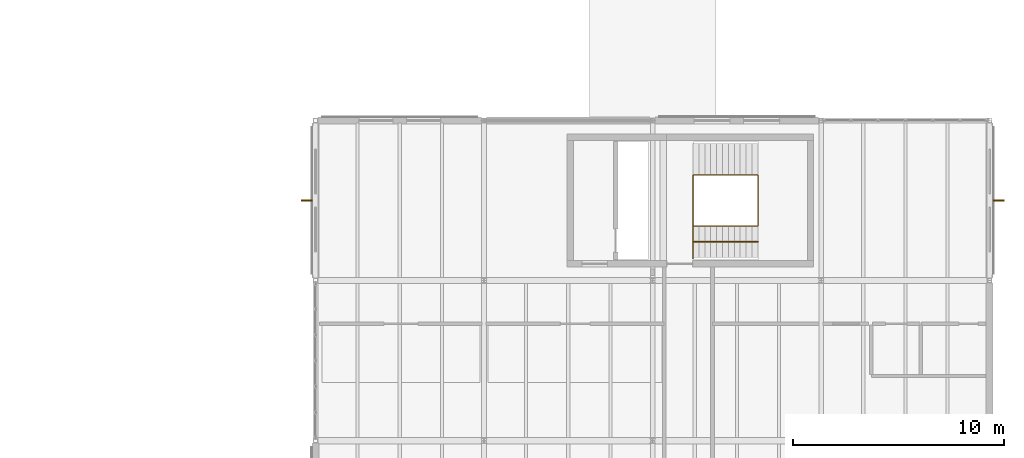
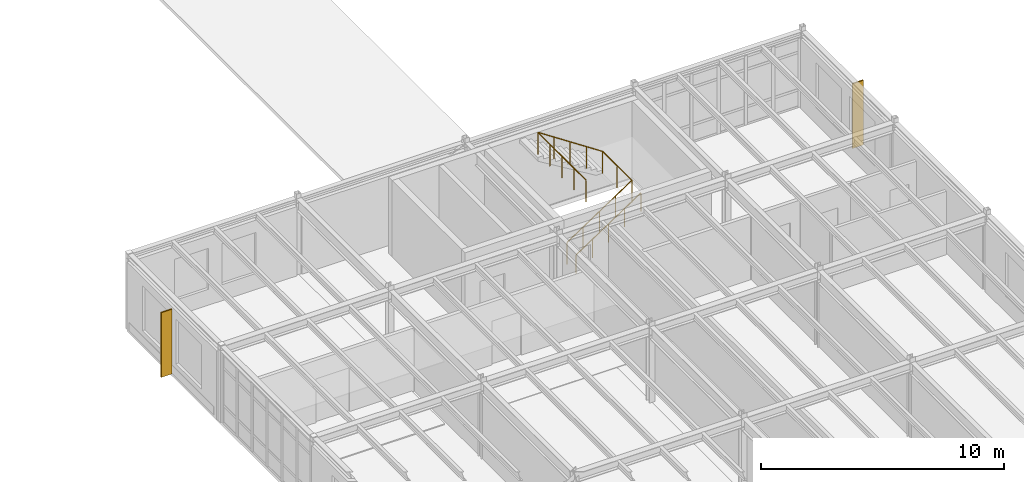
# One storey, part 112 of 114: 2 railings, 2 shading devices.
"""IFC4 building model written with IfcOpenShell, lengths in metres."""

from ifc_helpers import new_model, si_unit, direction, frame, origin, origin_2d, place, context, subcontext, project, spatial, rectangle, circle, extrude, material, type_object, element, save


model = new_model("IFC4")

# Units and contexts
model_context = context("Model", 3, precision=1e-05, world=origin(), true_north=direction((0.0, 1.0)))
body_context = subcontext(model_context, "Body", "Model", "MODEL_VIEW")
ifc_project = project(units=[si_unit("LENGTHUNIT", "METRE"), si_unit("AREAUNIT", "SQUARE_METRE"), si_unit("VOLUMEUNIT", "CUBIC_METRE"), si_unit("PLANEANGLEUNIT", "RADIAN"), si_unit("MASSUNIT", "GRAM", prefix="KILO")], contexts=[model_context])

# Site, building, storey
site_placement = place(None, origin())
site = spatial("IfcSite", under=ifc_project, at=site_placement, CompositionType="ELEMENT")
building_placement = place(site_placement, origin())
building = spatial("IfcBuilding", under=site, at=building_placement, Name="Montecoro Central Library", CompositionType="ELEMENT")
storey_placement = place(building_placement, frame((0.0, 0.0, 13.260009765625)))
storey = spatial("IfcBuildingStorey", under=building, at=storey_placement, Name="L03", CompositionType="ELEMENT", Elevation=13.260009765625)

# Railings
ifc_material_1 = material(Name="Brushed stainless steel and bronze balustrade", Category="steel")
railing_type_1 = type_object("IfcRailingType", Name="GRD-INT-110", PredefinedType="GUARDRAIL", material=ifc_material_1)
railing_1_placement = place(storey_placement, frame((158.919921875, 38.0, 0.0)))
element("IfcRailing", 1, at=railing_1_placement, inside=storey, type_object=railing_type_1, Name="C7-L03-STR-GRD", PredefinedType="GUARDRAIL", context=body_context, shape_type="SweptSolid", body=[
    extrude(circle(Radius=0.02392578125, at=origin_2d()), frame((0.0, 0.0, 1.09619140625), z_axis=(0.833713881912, 0.0, 0.552196670677), x_axis=(0.0, 1.0, 0.0)), (0.0, 0.0, 1.0), 3.6943359375),
    extrude(circle(Radius=0.02392578125, at=origin_2d()), frame((3.080078125, 0.0, 3.13623046875), z_axis=(0.0, 1.0, 0.0), x_axis=(-1.0, 0.0, 0.0)), (0.0, 0.0, 1.0), 2.39990234375),
    extrude(circle(Radius=0.02392578125, at=origin_2d()), frame((3.080078125, 2.39990234375, 3.13623046875), z_axis=(-0.833713881912, 0.0, 0.552196670677), x_axis=(0.0, -1.0, 0.0)), (0.0, 0.0, 1.0), 3.6943359375),
    extrude(circle(Radius=0.02392578125, at=origin_2d()), frame((0.0, 2.39990234375, 5.17626953125), z_axis=(0.0, -1.0, 0.0), x_axis=(1.0, 0.0, 0.0)), (0.0, 0.0, 1.0), 3.949951171875),
    extrude(circle(Radius=0.02099609375, at=origin_2d()), origin(), (0.0, 0.0, 1.0), 1.072021484375),
    extrude(circle(Radius=0.02099609375, at=origin_2d()), frame((0.77001953125, 0.0, 0.510009765625)), (0.0, 0.0, 1.0), 1.072021484375),
    extrude(circle(Radius=0.02099609375, at=origin_2d()), frame((1.5400390625, 0.0, 1.02001953125)), (0.0, 0.0, 1.0), 1.072021484375),
    extrude(circle(Radius=0.02099609375, at=origin_2d()), frame((2.31005859375, 0.0, 1.530029296875)), (0.0, 0.0, 1.0), 1.072021484375),
    extrude(circle(Radius=0.02099609375, at=origin_2d()), frame((3.080078125, 0.0, 2.0400390625)), (0.0, 0.0, 1.0), 1.072021484375),
    extrude(circle(Radius=0.02099609375, at=origin_2d()), frame((3.080078125, 1.199951171875, 2.0400390625)), (0.0, 0.0, 1.0), 1.072021484375),
    extrude(circle(Radius=0.02099609375, at=origin_2d()), frame((3.080078125, 2.39990234375, 2.0400390625)), (0.0, 0.0, 1.0), 1.072021484375),
    extrude(circle(Radius=0.02099609375, at=origin_2d()), frame((2.31005859375, 2.39990234375, 2.550048828125)), (0.0, 0.0, 1.0), 1.072021484375),
    extrude(circle(Radius=0.02099609375, at=origin_2d()), frame((1.5400390625, 2.39990234375, 3.06005859375)), (0.0, 0.0, 1.0), 1.072021484375),
    extrude(circle(Radius=0.02099609375, at=origin_2d()), frame((0.77001953125, 2.39990234375, 3.570068359375)), (0.0, 0.0, 1.0), 1.072021484375),
    extrude(circle(Radius=0.02099609375, at=origin_2d()), frame((0.0, 2.39990234375, 4.080078125)), (0.0, 0.0, 1.0), 1.072021484375),
    extrude(circle(Radius=0.02099609375, at=origin_2d()), frame((0.0, 1.412353515625, 4.080078125)), (0.0, 0.0, 1.0), 1.072021484375),
    extrude(circle(Radius=0.02099609375, at=origin_2d()), frame((0.0, 0.4248046875, 4.080078125)), (0.0, 0.0, 1.0), 1.072021484375),
    extrude(circle(Radius=0.02099609375, at=origin_2d()), frame((0.0, -0.5625, 4.080078125)), (0.0, 0.0, 1.0), 1.072021484375),
    extrude(circle(Radius=0.02099609375, at=origin_2d()), frame((0.0, -1.550048828125, 4.080078125)), (0.0, 0.0, 1.0), 1.072021484375),
])
ifc_material_2 = material(Name="Brushed architectural bronze handrail")
railing_type_2 = type_object("IfcRailingType", Name="HRL-STR-095", PredefinedType="HANDRAIL", material=ifc_material_2)
railing_2_placement = place(storey_placement, frame((158.919921875, 37.25, 0.0)))
element("IfcRailing", 2, at=railing_2_placement, inside=storey, type_object=railing_type_2, Name="C7-L03-STR-HR1", PredefinedType="HANDRAIL", context=body_context, shape_type="SweptSolid", body=[
    extrude(circle(Radius=0.02392578125, at=origin_2d()), frame((0.0, 0.0, 0.92578125), z_axis=(0.833713881912, 0.0, 0.552196670677), x_axis=(0.0, 1.0, 0.0)), (0.0, 0.0, 1.0), 3.6943359375),
    extrude(circle(Radius=0.02099609375, at=origin_2d()), origin(), (0.0, 0.0, 1.0), 0.90185546875),
    extrude(circle(Radius=0.02099609375, at=origin_2d()), frame((0.77001953125, 0.0, 0.510009765625)), (0.0, 0.0, 1.0), 0.90185546875),
    extrude(circle(Radius=0.02099609375, at=origin_2d()), frame((1.5400390625, 0.0, 1.02001953125)), (0.0, 0.0, 1.0), 0.90185546875),
    extrude(circle(Radius=0.02099609375, at=origin_2d()), frame((2.31005859375, 0.0, 1.530029296875)), (0.0, 0.0, 1.0), 0.90185546875),
    extrude(circle(Radius=0.02099609375, at=origin_2d()), frame((3.080078125, 0.0, 2.0400390625)), (0.0, 0.0, 1.0), 0.90185546875),
])

# Shading devices
ifc_material_3 = material(Name="Architectural bronze solar fin", Category="aluminium")
shading_device_type = type_object("IfcShadingDeviceType", Name="SHD-FIN-17", PredefinedType="USERDEFINED", material=ifc_material_3)
for number, where, z_axis, x_axis, name in (
    (3, (173.42041015625, 39.199951171875, 0.114990234375), (0.0, 0.0, 1.0), (0.0, 1.0, 0.0), "V6-L03-FIN-E4"),
    (4, (140.57958984375, 39.199951171875, 0.114990234375), (0.0, 0.0, 1.0), (0.0, -1.0, 0.0), "V6-L03-FIN-W4"),
):
    element("IfcShadingDevice", number, at=place(storey_placement, frame(where, z_axis=z_axis, x_axis=x_axis)), inside=storey, type_object=shading_device_type, Name=name, ObjectType="SOLAR FIN", PredefinedType="USERDEFINED", context=body_context, shape_type="SweptSolid", body=[
        extrude(rectangle(XDim=0.06005859375, YDim=0.52001953125, at=origin_2d()), origin(), (0.0, 0.0, 1.0), 3.25),
    ])

save(model, "model.ifc")
